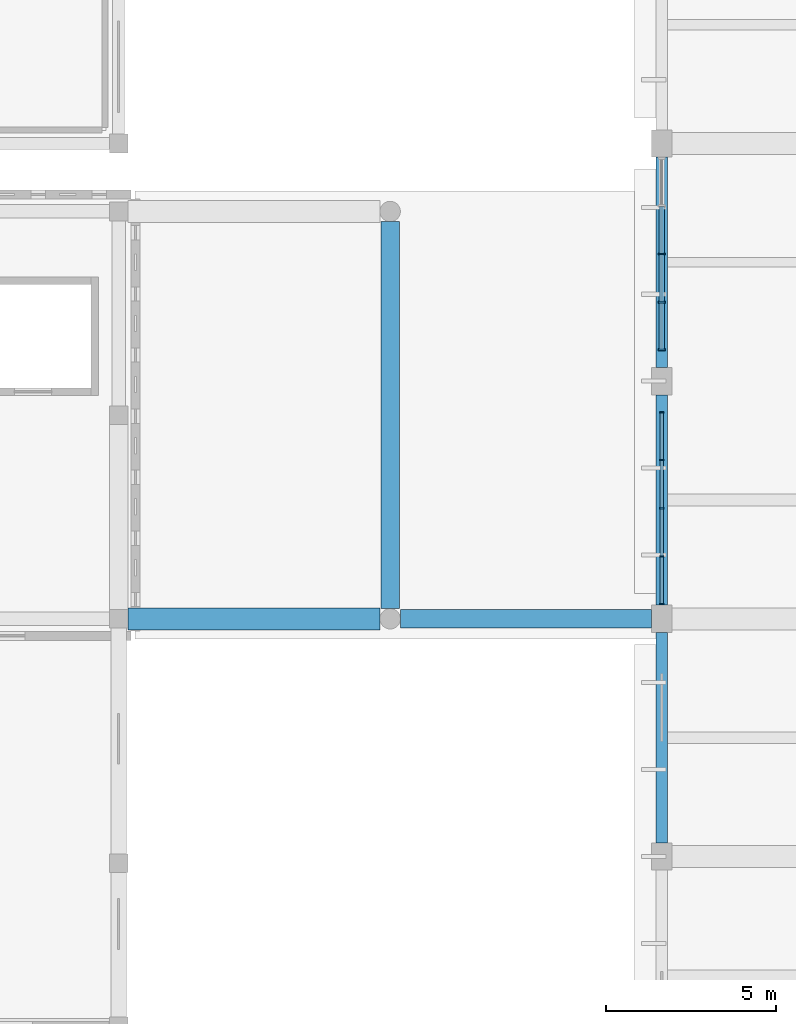
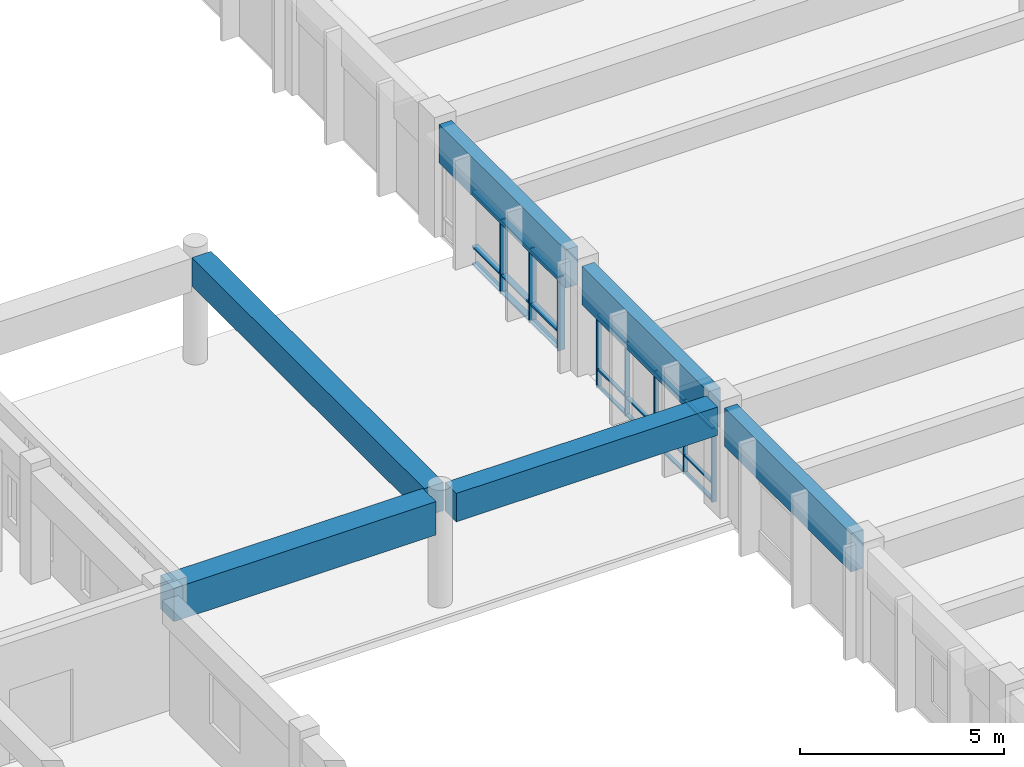
# One storey, part 23 of 155: 29 members, 6 beams, 2 elements without a shape of their own.
"""IFC4 building model written with IfcOpenShell, lengths in metres."""

from ifc_helpers import new_model, si_unit, direction, frame, origin, origin_2d, place, context, subcontext, project, spatial, rectangle, extrude, material, material_profile, profile_set, type_object, element, aggregate, save


model = new_model("IFC4")

# Units and contexts
model_context = context("Model", 3, precision=1e-05, world=origin(), true_north=direction((0.0, 1.0)))
body_context = subcontext(model_context, "Body", "Model", "MODEL_VIEW")
ifc_project = project(units=[si_unit("LENGTHUNIT", "METRE"), si_unit("AREAUNIT", "SQUARE_METRE"), si_unit("VOLUMEUNIT", "CUBIC_METRE"), si_unit("PLANEANGLEUNIT", "RADIAN"), si_unit("MASSUNIT", "GRAM", prefix="KILO")], contexts=[model_context])

# Site, building, storey
site_placement = place(None, origin())
site = spatial("IfcSite", under=ifc_project, at=site_placement, CompositionType="ELEMENT")
building_placement = place(site_placement, origin())
building = spatial("IfcBuilding", under=site, at=building_placement, Name="Larkveld Mobility Hub", CompositionType="ELEMENT")
storey_placement = place(building_placement, frame((0.0, 0.0, 8.39990234375)))
storey = spatial("IfcBuildingStorey", under=building, at=storey_placement, Name="L02", CompositionType="ELEMENT", Elevation=8.39990234375)

# Beams
ifc_material_1 = material(Name="Concrete C40/50", Category="concrete")
ifc_material_profile_1 = material_profile(ifc_material_1, rectangle(XDim=0.550048828125, YDim=0.85009765625, at=origin_2d()), Name="RC BM 550x850")
ifc_profile_set_1 = profile_set([ifc_material_profile_1], Name="Concrete C40/50")
beam_type_1 = type_object("IfcBeamType", Name="BM-RC5585", PredefinedType="BEAM", material=ifc_profile_set_1)
beam_1_placement = place(storey_placement, frame((104.300048828125, 84.0, 2.93505859375), z_axis=(1.0, 0.0, 0.0), x_axis=(0.0, 1.0, 0.0)))
element("IfcBeam", 1, at=beam_1_placement, inside=storey, type_object=beam_type_1, Name="Primary E-W Girder L02-0529", PredefinedType="BEAM", context=body_context, shape_type="SweptSolid", body=[
    extrude(rectangle(XDim=0.550048828125, YDim=0.85009765625, at=origin_2d()), origin(), (0.0, 0.0, 1.0), 7.39990234375),
])
beam_2_placement = place(storey_placement, frame((104.0, 84.300048828125, 2.93505859375), z_axis=(0.0, 1.0, 0.0), x_axis=(-1.0, 0.0, 0.0)))
element("IfcBeam", 2, at=beam_2_placement, inside=storey, type_object=beam_type_1, Name="Primary N-S Girder L02-0622", PredefinedType="BEAM", context=body_context, shape_type="SweptSolid", body=[
    extrude(rectangle(XDim=0.550048828125, YDim=0.85009765625, at=origin_2d()), origin(), (0.0, 0.0, 1.0), 11.39990234375),
])
ifc_material_profile_2 = material_profile(ifc_material_1, rectangle(XDim=0.64990234375, YDim=1.0, at=origin_2d()), Name="RC BM 650x1000")
ifc_profile_set_2 = profile_set([ifc_material_profile_2], Name="Concrete C40/50")
beam_type_2 = type_object("IfcBeamType", Name="BM-RC65100", PredefinedType="BEAM", material=ifc_profile_set_2)
beam_3_placement = place(storey_placement, frame((96.27490234375, 84.0, 2.860107421875), z_axis=(1.0, 0.0, 0.0), x_axis=(0.0, 1.0, 0.0)))
element("IfcBeam", 3, at=beam_3_placement, inside=storey, type_object=beam_type_2, Name="Primary E-W Girder L02-0528", PredefinedType="BEAM", context=body_context, shape_type="SweptSolid", body=[
    extrude(rectangle(XDim=0.64990234375, YDim=1.0, at=origin_2d()), origin(), (0.0, 0.0, 1.0), 7.425048828125),
])
ifc_material_2 = material(Name="Precast concrete C50/60", Category="concrete")
ifc_material_profile_3 = material_profile(ifc_material_2, rectangle(XDim=0.35009765625, YDim=1.14990234375, at=origin_2d()), Name="PC SP 350x1150")
ifc_profile_set_3 = profile_set([ifc_material_profile_3], Name="Precast concrete C50/60")
beam_type_3 = type_object("IfcBeamType", Name="BM-SP35115", PredefinedType="SPANDREL", material=ifc_profile_set_3)
for number, where, z_axis, x_axis, name in (
    (4, (112.0, 77.39990234375, 2.78515625), (0.0, 1.0, 0.0), (-1.0, 0.0, 0.0), "Primary N-S Girder L02-0633"),
    (5, (112.0, 84.39990234375, 2.78515625), (0.0, 1.0, 0.0), (-1.0, 0.0, 0.0), "Primary N-S Girder L02-0634"),
    (6, (112.0, 91.39990234375, 2.78515625), (0.0, 1.0, 0.0), (-1.0, 0.0, 0.0), "Primary N-S Girder L02-0635"),
):
    element("IfcBeam", number, at=place(storey_placement, frame(where, z_axis=z_axis, x_axis=x_axis)), inside=storey, type_object=beam_type_3, Name=name, PredefinedType="SPANDREL", context=body_context, shape_type="SweptSolid", body=[
        extrude(rectangle(XDim=0.35009765625, YDim=1.14990234375, at=origin_2d()), origin(), (0.0, 0.0, 1.0), 6.2001953125),
    ])

# Curtain wall, members
ifc_material_3 = material(Name="Anodised aluminium 6063-T6", Category="aluminium")
curtain_wall_type_1 = type_object("IfcCurtainWallType", Name="CW-SYS-07", PredefinedType="NOTDEFINED", material=ifc_material_3)
curtain_wall_1_placement = place(storey_placement, origin())
curtain_wall_1 = element("IfcCurtainWall", 7, at=curtain_wall_1_placement, inside=storey, type_object=curtain_wall_type_1, Name="EV Wing West Glazing L02 CW-139", PredefinedType="NOTDEFINED")
ifc_material_profile_4 = material_profile(ifc_material_3, rectangle(XDim=0.050048828125, YDim=0.2099609375, at=origin_2d()), Name="ALU MULL 50x210")
ifc_profile_set_4 = profile_set([ifc_material_profile_4], Name="Anodised aluminium 6063-T6")
member_type_1 = type_object("IfcMemberType", Name="CW-MUL-03", PredefinedType="MULLION", material=ifc_profile_set_4)
member_1_placement = place(storey_placement, frame((112.0, 94.7451171875, -0.001953125), z_axis=(0.0, 0.0, 1.0), x_axis=(0.0, -1.0, 0.0)))
member_1 = element("IfcMember", 8, at=member_1_placement, type_object=member_type_1, Name="CW07 mullion 3", PredefinedType="MULLION", context=body_context, shape_type="SweptSolid", body=[
    extrude(rectangle(XDim=0.050048828125, YDim=0.2099609375, at=origin_2d()), origin(), (0.0, 0.0, 1.0), 2.212158203125),
])
member_2_placement = place(storey_placement, frame((112.0, 93.322998046875, -0.001953125), z_axis=(0.0, 0.0, 1.0), x_axis=(0.0, -1.0, 0.0)))
member_2 = element("IfcMember", 9, at=member_2_placement, type_object=member_type_1, Name="CW07 mullion 4", PredefinedType="MULLION", context=body_context, shape_type="SweptSolid", body=[
    extrude(rectangle(XDim=0.050048828125, YDim=0.2099609375, at=origin_2d()), origin(), (0.0, 0.0, 1.0), 2.212158203125),
])
member_3_placement = place(storey_placement, frame((112.0, 91.925048828125, -0.001953125), z_axis=(0.0, 0.0, 1.0), x_axis=(0.0, -1.0, 0.0)))
member_3 = element("IfcMember", 10, at=member_3_placement, type_object=member_type_1, Name="CW07 mullion 5", PredefinedType="MULLION", context=body_context, shape_type="SweptSolid", body=[
    extrude(rectangle(XDim=0.050048828125, YDim=0.2099609375, at=origin_2d()), origin(), (0.0, 0.0, 1.0), 2.212158203125),
])

curtain_wall_type_2 = type_object("IfcCurtainWallType", Name="CW-SYS-08", PredefinedType="NOTDEFINED", material=ifc_material_3)
curtain_wall_2_placement = place(storey_placement, origin())
curtain_wall_2 = element("IfcCurtainWall", 11, at=curtain_wall_2_placement, inside=storey, type_object=curtain_wall_type_2, Name="EV Wing West Glazing L02 CW-140", PredefinedType="NOTDEFINED")
ifc_material_profile_5 = material_profile(ifc_material_3, rectangle(XDim=0.050048828125, YDim=0.1298828125, at=origin_2d()), Name="ALU MULL 50x130")
ifc_profile_set_5 = profile_set([ifc_material_profile_5], Name="Anodised aluminium 6063-T6")
member_type_2 = type_object("IfcMemberType", Name="CW-MUL-04", PredefinedType="MULLION", material=ifc_profile_set_5)
member_4_placement = place(storey_placement, frame((112.0, 90.074951171875, -0.001953125), z_axis=(0.0, 0.0, 1.0), x_axis=(0.0, -1.0, 0.0)))
member_4 = element("IfcMember", 12, at=member_4_placement, type_object=member_type_2, Name="CW08 mullion 1", PredefinedType="MULLION", context=body_context, shape_type="SweptSolid", body=[
    extrude(rectangle(XDim=0.050048828125, YDim=0.1298828125, at=origin_2d()), origin(), (0.0, 0.0, 1.0), 2.212158203125),
])
member_5_placement = place(storey_placement, frame((112.0, 88.677001953125, -0.001953125), z_axis=(0.0, 0.0, 1.0), x_axis=(0.0, -1.0, 0.0)))
member_5 = element("IfcMember", 13, at=member_5_placement, type_object=member_type_2, Name="CW08 mullion 2", PredefinedType="MULLION", context=body_context, shape_type="SweptSolid", body=[
    extrude(rectangle(XDim=0.050048828125, YDim=0.1298828125, at=origin_2d()), origin(), (0.0, 0.0, 1.0), 2.212158203125),
])
member_6_placement = place(storey_placement, frame((112.0, 87.2548828125, -0.001953125), z_axis=(0.0, 0.0, 1.0), x_axis=(0.0, -1.0, 0.0)))
member_6 = element("IfcMember", 14, at=member_6_placement, type_object=member_type_2, Name="CW08 mullion 3", PredefinedType="MULLION", context=body_context, shape_type="SweptSolid", body=[
    extrude(rectangle(XDim=0.050048828125, YDim=0.1298828125, at=origin_2d()), origin(), (0.0, 0.0, 1.0), 2.212158203125),
])
member_7_placement = place(storey_placement, frame((112.0, 85.83203125, -0.001953125), z_axis=(0.0, 0.0, 1.0), x_axis=(0.0, -1.0, 0.0)))
member_7 = element("IfcMember", 15, at=member_7_placement, type_object=member_type_2, Name="CW08 mullion 4", PredefinedType="MULLION", context=body_context, shape_type="SweptSolid", body=[
    extrude(rectangle(XDim=0.050048828125, YDim=0.1298828125, at=origin_2d()), origin(), (0.0, 0.0, 1.0), 2.212158203125),
])
member_8_placement = place(storey_placement, frame((112.0, 84.43505859375, -0.001953125), z_axis=(0.0, 0.0, 1.0), x_axis=(0.0, -1.0, 0.0)))
member_8 = element("IfcMember", 16, at=member_8_placement, type_object=member_type_2, Name="CW08 mullion 5", PredefinedType="MULLION", context=body_context, shape_type="SweptSolid", body=[
    extrude(rectangle(XDim=0.050048828125, YDim=0.1298828125, at=origin_2d()), origin(), (0.0, 0.0, 1.0), 2.212158203125),
])

# Member
ifc_material_profile_6 = material_profile(ifc_material_3, rectangle(XDim=0.169921875, YDim=0.050048828125, at=origin_2d()), Name="ALU TRAN 50x170")
ifc_profile_set_6 = profile_set([ifc_material_profile_6], Name="Anodised aluminium 6063-T6")
member_type_3 = type_object("IfcMemberType", Name="CW-TRN-03", PredefinedType="USERDEFINED", material=ifc_profile_set_6)
member_9_placement = place(storey_placement, frame((112.0, 96.153076171875, 0.030029296875), z_axis=(0.0, -1.0, 0.0), x_axis=(1.0, 0.0, 0.0)))
member_9 = element("IfcMember", 17, at=member_9_placement, type_object=member_type_3, Name="CW07 transom 2.1", ObjectType="TRANSOM", PredefinedType="USERDEFINED", context=body_context, shape_type="SweptSolid", body=[
    extrude(rectangle(XDim=0.169921875, YDim=0.050048828125, at=origin_2d()), origin(), (0.0, 0.0, 1.0), 1.39306640625),
])

member_10_placement = place(storey_placement, frame((112.0, 96.153076171875, 0.552001953125), z_axis=(0.0, -1.0, 0.0), x_axis=(1.0, 0.0, 0.0)))
member_10 = element("IfcMember", 18, at=member_10_placement, type_object=member_type_3, Name="CW07 transom 2.2", ObjectType="TRANSOM", PredefinedType="USERDEFINED", context=body_context, shape_type="SweptSolid", body=[
    extrude(rectangle(XDim=0.169921875, YDim=0.050048828125, at=origin_2d()), origin(), (0.0, 0.0, 1.0), 1.39306640625),
])

member_11_placement = place(storey_placement, frame((112.0, 96.153076171875, 2.177978515625), z_axis=(0.0, -1.0, 0.0), x_axis=(1.0, 0.0, 0.0)))
member_11 = element("IfcMember", 19, at=member_11_placement, type_object=member_type_3, Name="CW07 transom 2.3", ObjectType="TRANSOM", PredefinedType="USERDEFINED", context=body_context, shape_type="SweptSolid", body=[
    extrude(rectangle(XDim=0.169921875, YDim=0.050048828125, at=origin_2d()), origin(), (0.0, 0.0, 1.0), 1.39306640625),
])

member_12_placement = place(storey_placement, frame((112.0, 94.72998046875, 0.030029296875), z_axis=(0.0, -1.0, 0.0), x_axis=(1.0, 0.0, 0.0)))
member_12 = element("IfcMember", 20, at=member_12_placement, type_object=member_type_3, Name="CW07 transom 3.1", ObjectType="TRANSOM", PredefinedType="USERDEFINED", context=body_context, shape_type="SweptSolid", body=[
    extrude(rectangle(XDim=0.169921875, YDim=0.050048828125, at=origin_2d()), origin(), (0.0, 0.0, 1.0), 1.39208984375),
])

member_13_placement = place(storey_placement, frame((112.0, 94.72998046875, 0.552001953125), z_axis=(0.0, -1.0, 0.0), x_axis=(1.0, 0.0, 0.0)))
member_13 = element("IfcMember", 21, at=member_13_placement, type_object=member_type_3, Name="CW07 transom 3.2", ObjectType="TRANSOM", PredefinedType="USERDEFINED", context=body_context, shape_type="SweptSolid", body=[
    extrude(rectangle(XDim=0.169921875, YDim=0.050048828125, at=origin_2d()), origin(), (0.0, 0.0, 1.0), 1.39208984375),
])

member_14_placement = place(storey_placement, frame((112.0, 94.72998046875, 2.177978515625), z_axis=(0.0, -1.0, 0.0), x_axis=(1.0, 0.0, 0.0)))
member_14 = element("IfcMember", 22, at=member_14_placement, type_object=member_type_3, Name="CW07 transom 3.3", ObjectType="TRANSOM", PredefinedType="USERDEFINED", context=body_context, shape_type="SweptSolid", body=[
    extrude(rectangle(XDim=0.169921875, YDim=0.050048828125, at=origin_2d()), origin(), (0.0, 0.0, 1.0), 1.39208984375),
])

member_15_placement = place(storey_placement, frame((112.0, 93.30810546875, 0.030029296875), z_axis=(0.0, -1.0, 0.0), x_axis=(1.0, 0.0, 0.0)))
member_15 = element("IfcMember", 23, at=member_15_placement, type_object=member_type_3, Name="CW07 transom 4.1", ObjectType="TRANSOM", PredefinedType="USERDEFINED", context=body_context, shape_type="SweptSolid", body=[
    extrude(rectangle(XDim=0.169921875, YDim=0.050048828125, at=origin_2d()), origin(), (0.0, 0.0, 1.0), 1.373046875),
])

member_16_placement = place(storey_placement, frame((112.0, 93.30810546875, 0.552001953125), z_axis=(0.0, -1.0, 0.0), x_axis=(1.0, 0.0, 0.0)))
member_16 = element("IfcMember", 24, at=member_16_placement, type_object=member_type_3, Name="CW07 transom 4.2", ObjectType="TRANSOM", PredefinedType="USERDEFINED", context=body_context, shape_type="SweptSolid", body=[
    extrude(rectangle(XDim=0.169921875, YDim=0.050048828125, at=origin_2d()), origin(), (0.0, 0.0, 1.0), 1.373046875),
])

member_17_placement = place(storey_placement, frame((112.0, 93.30810546875, 2.177978515625), z_axis=(0.0, -1.0, 0.0), x_axis=(1.0, 0.0, 0.0)))
member_17 = element("IfcMember", 25, at=member_17_placement, type_object=member_type_3, Name="CW07 transom 4.3", ObjectType="TRANSOM", PredefinedType="USERDEFINED", context=body_context, shape_type="SweptSolid", body=[
    extrude(rectangle(XDim=0.169921875, YDim=0.050048828125, at=origin_2d()), origin(), (0.0, 0.0, 1.0), 1.373046875),
])

aggregate(curtain_wall_1, [member_1, member_2, member_3, member_9, member_10, member_11, member_12, member_13, member_14, member_15, member_16, member_17])

ifc_material_profile_7 = material_profile(ifc_material_3, rectangle(XDim=0.10009765625, YDim=0.050048828125, at=origin_2d()), Name="ALU TRAN 50x100")
ifc_profile_set_7 = profile_set([ifc_material_profile_7], Name="Anodised aluminium 6063-T6")
member_type_4 = type_object("IfcMemberType", Name="CW-TRN-04", PredefinedType="USERDEFINED", material=ifc_profile_set_7)
member_18_placement = place(storey_placement, frame((112.0, 90.06494140625, 0.030029296875), z_axis=(0.0, -1.0, 0.0), x_axis=(1.0, 0.0, 0.0)))
member_18 = element("IfcMember", 26, at=member_18_placement, type_object=member_type_4, Name="CW08 transom 1.1", ObjectType="TRANSOM", PredefinedType="USERDEFINED", context=body_context, shape_type="SweptSolid", body=[
    extrude(rectangle(XDim=0.10009765625, YDim=0.050048828125, at=origin_2d()), origin(), (0.0, 0.0, 1.0), 1.373046875),
])

member_19_placement = place(storey_placement, frame((112.0, 90.06494140625, 0.552001953125), z_axis=(0.0, -1.0, 0.0), x_axis=(1.0, 0.0, 0.0)))
member_19 = element("IfcMember", 27, at=member_19_placement, type_object=member_type_4, Name="CW08 transom 1.2", ObjectType="TRANSOM", PredefinedType="USERDEFINED", context=body_context, shape_type="SweptSolid", body=[
    extrude(rectangle(XDim=0.10009765625, YDim=0.050048828125, at=origin_2d()), origin(), (0.0, 0.0, 1.0), 1.373046875),
])

member_20_placement = place(storey_placement, frame((112.0, 90.06494140625, 2.177978515625), z_axis=(0.0, -1.0, 0.0), x_axis=(1.0, 0.0, 0.0)))
member_20 = element("IfcMember", 28, at=member_20_placement, type_object=member_type_4, Name="CW08 transom 1.3", ObjectType="TRANSOM", PredefinedType="USERDEFINED", context=body_context, shape_type="SweptSolid", body=[
    extrude(rectangle(XDim=0.10009765625, YDim=0.050048828125, at=origin_2d()), origin(), (0.0, 0.0, 1.0), 1.373046875),
])

member_21_placement = place(storey_placement, frame((112.0, 88.662109375, 0.030029296875), z_axis=(0.0, -1.0, 0.0), x_axis=(1.0, 0.0, 0.0)))
member_21 = element("IfcMember", 29, at=member_21_placement, type_object=member_type_4, Name="CW08 transom 2.1", ObjectType="TRANSOM", PredefinedType="USERDEFINED", context=body_context, shape_type="SweptSolid", body=[
    extrude(rectangle(XDim=0.10009765625, YDim=0.050048828125, at=origin_2d()), origin(), (0.0, 0.0, 1.0), 1.39208984375),
])

member_22_placement = place(storey_placement, frame((112.0, 88.662109375, 0.552001953125), z_axis=(0.0, -1.0, 0.0), x_axis=(1.0, 0.0, 0.0)))
member_22 = element("IfcMember", 30, at=member_22_placement, type_object=member_type_4, Name="CW08 transom 2.2", ObjectType="TRANSOM", PredefinedType="USERDEFINED", context=body_context, shape_type="SweptSolid", body=[
    extrude(rectangle(XDim=0.10009765625, YDim=0.050048828125, at=origin_2d()), origin(), (0.0, 0.0, 1.0), 1.39208984375),
])

member_23_placement = place(storey_placement, frame((112.0, 88.662109375, 2.177978515625), z_axis=(0.0, -1.0, 0.0), x_axis=(1.0, 0.0, 0.0)))
member_23 = element("IfcMember", 31, at=member_23_placement, type_object=member_type_4, Name="CW08 transom 2.3", ObjectType="TRANSOM", PredefinedType="USERDEFINED", context=body_context, shape_type="SweptSolid", body=[
    extrude(rectangle(XDim=0.10009765625, YDim=0.050048828125, at=origin_2d()), origin(), (0.0, 0.0, 1.0), 1.39208984375),
])

member_24_placement = place(storey_placement, frame((112.0, 87.239990234375, 0.030029296875), z_axis=(0.0, -1.0, 0.0), x_axis=(1.0, 0.0, 0.0)))
member_24 = element("IfcMember", 32, at=member_24_placement, type_object=member_type_4, Name="CW08 transom 3.1", ObjectType="TRANSOM", PredefinedType="USERDEFINED", context=body_context, shape_type="SweptSolid", body=[
    extrude(rectangle(XDim=0.10009765625, YDim=0.050048828125, at=origin_2d()), origin(), (0.0, 0.0, 1.0), 1.39306640625),
])

member_25_placement = place(storey_placement, frame((112.0, 87.239990234375, 0.552001953125), z_axis=(0.0, -1.0, 0.0), x_axis=(1.0, 0.0, 0.0)))
member_25 = element("IfcMember", 33, at=member_25_placement, type_object=member_type_4, Name="CW08 transom 3.2", ObjectType="TRANSOM", PredefinedType="USERDEFINED", context=body_context, shape_type="SweptSolid", body=[
    extrude(rectangle(XDim=0.10009765625, YDim=0.050048828125, at=origin_2d()), origin(), (0.0, 0.0, 1.0), 1.39306640625),
])

member_26_placement = place(storey_placement, frame((112.0, 87.239990234375, 2.177978515625), z_axis=(0.0, -1.0, 0.0), x_axis=(1.0, 0.0, 0.0)))
member_26 = element("IfcMember", 34, at=member_26_placement, type_object=member_type_4, Name="CW08 transom 3.3", ObjectType="TRANSOM", PredefinedType="USERDEFINED", context=body_context, shape_type="SweptSolid", body=[
    extrude(rectangle(XDim=0.10009765625, YDim=0.050048828125, at=origin_2d()), origin(), (0.0, 0.0, 1.0), 1.39306640625),
])

member_27_placement = place(storey_placement, frame((112.0, 85.81689453125, 0.030029296875), z_axis=(0.0, -1.0, 0.0), x_axis=(1.0, 0.0, 0.0)))
member_27 = element("IfcMember", 35, at=member_27_placement, type_object=member_type_4, Name="CW08 transom 4.1", ObjectType="TRANSOM", PredefinedType="USERDEFINED", context=body_context, shape_type="SweptSolid", body=[
    extrude(rectangle(XDim=0.10009765625, YDim=0.050048828125, at=origin_2d()), origin(), (0.0, 0.0, 1.0), 1.371826171875),
])

member_28_placement = place(storey_placement, frame((112.0, 85.81689453125, 0.552001953125), z_axis=(0.0, -1.0, 0.0), x_axis=(1.0, 0.0, 0.0)))
member_28 = element("IfcMember", 36, at=member_28_placement, type_object=member_type_4, Name="CW08 transom 4.2", ObjectType="TRANSOM", PredefinedType="USERDEFINED", context=body_context, shape_type="SweptSolid", body=[
    extrude(rectangle(XDim=0.10009765625, YDim=0.050048828125, at=origin_2d()), origin(), (0.0, 0.0, 1.0), 1.371826171875),
])

member_29_placement = place(storey_placement, frame((112.0, 85.81689453125, 2.177978515625), z_axis=(0.0, -1.0, 0.0), x_axis=(1.0, 0.0, 0.0)))
member_29 = element("IfcMember", 37, at=member_29_placement, type_object=member_type_4, Name="CW08 transom 4.3", ObjectType="TRANSOM", PredefinedType="USERDEFINED", context=body_context, shape_type="SweptSolid", body=[
    extrude(rectangle(XDim=0.10009765625, YDim=0.050048828125, at=origin_2d()), origin(), (0.0, 0.0, 1.0), 1.371826171875),
])

aggregate(curtain_wall_2, [member_4, member_5, member_6, member_7, member_8, member_18, member_19, member_20, member_21, member_22, member_23, member_24, member_25, member_26, member_27, member_28, member_29])

save(model, "model.ifc")
